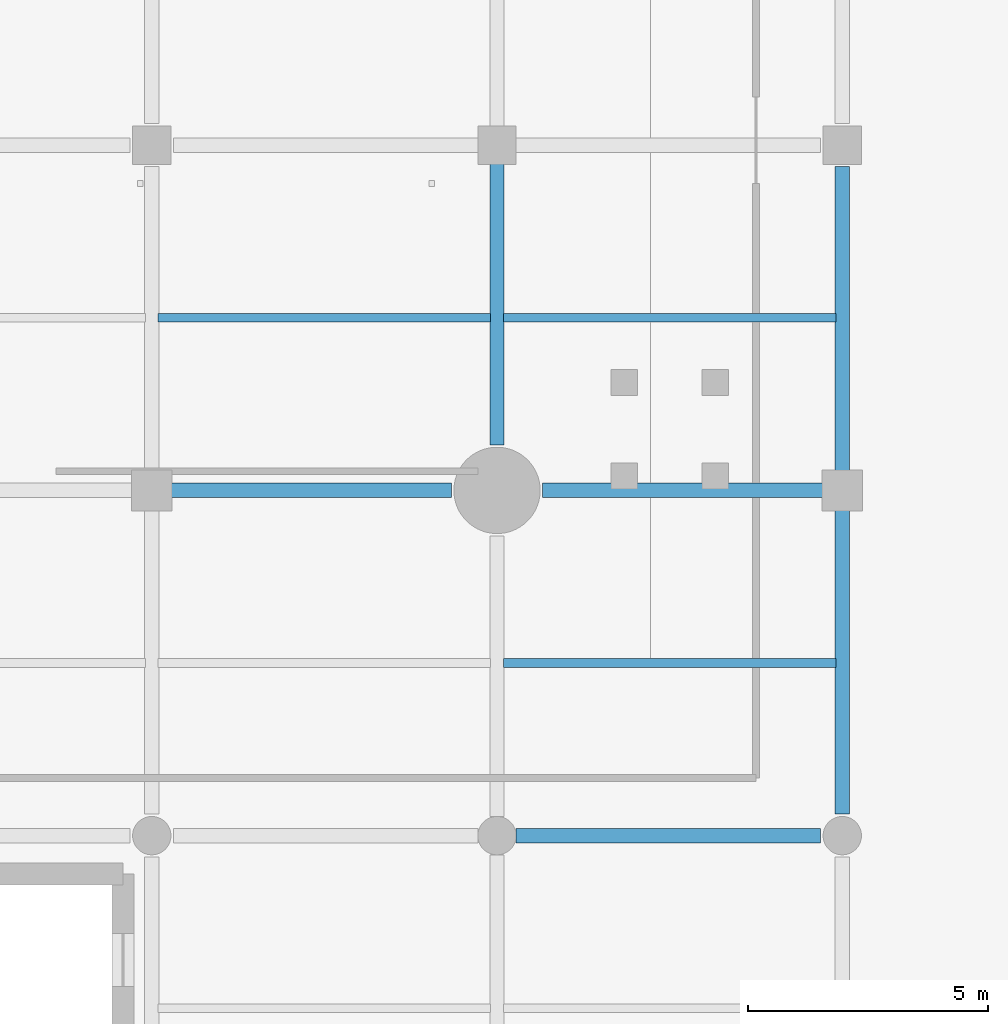
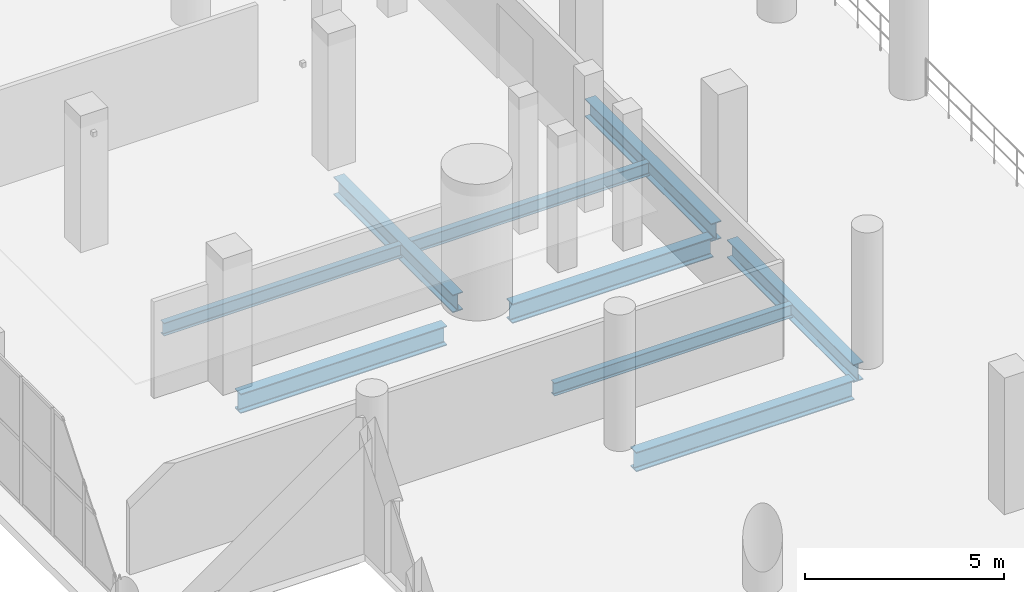
# One storey, part 24 of 153: 9 beams.
"""IFC4 building model written with IfcOpenShell, lengths in metres."""

from ifc_helpers import new_model, si_unit, direction, frame, origin, origin_2d, place, context, subcontext, project, spatial, i_section, extrude, material, material_profile, profile_set, type_object, element, save


model = new_model("IFC4")

# Units and contexts
model_context = context("Model", 3, precision=1e-05, world=origin(), true_north=direction((0.0, 1.0)))
body_context = subcontext(model_context, "Body", "Model", "MODEL_VIEW")
ifc_project = project(units=[si_unit("LENGTHUNIT", "METRE"), si_unit("AREAUNIT", "SQUARE_METRE"), si_unit("VOLUMEUNIT", "CUBIC_METRE"), si_unit("PLANEANGLEUNIT", "RADIAN"), si_unit("MASSUNIT", "GRAM", prefix="KILO")], contexts=[model_context])

# Site, building, storey
site_placement = place(None, origin())
site = spatial("IfcSite", under=ifc_project, at=site_placement, CompositionType="ELEMENT")
building_placement = place(site_placement, origin())
building = spatial("IfcBuilding", under=site, at=building_placement, Name="Qandorah Velis Arena", CompositionType="ELEMENT")
storey_placement = place(building_placement, frame((0.0, 0.0, 5.39990234375)))
storey = spatial("IfcBuildingStorey", under=building, at=storey_placement, Name="L01", CompositionType="ELEMENT", Elevation=5.39990234375)

# Beams
ifc_material = material(Name="Steel S355", Category="steel")
ifc_material_profile_1 = material_profile(ifc_material, i_section(OverallWidth=0.300048828125, OverallDepth=0.550048828125, WebThickness=0.014892578125, FlangeThickness=0.029052734375, FilletRadius=0.027099609375, at=origin_2d()), Name="HEB 550")
ifc_profile_set_1 = profile_set([ifc_material_profile_1], Name="Steel S355")
beam_type_1 = type_object("IfcBeamType", Name="STR-BM-HEB550", PredefinedType="BEAM", material=ifc_profile_set_1)
beam_1_placement = place(storey_placement, frame((14.39990234375, 58.550048828125, -0.635009765625), z_axis=(0.0, 1.0, 0.0), x_axis=(-1.0, 0.0, 0.0)))
element("IfcBeam", 1, at=beam_1_placement, inside=storey, type_object=beam_type_1, Name="Primary floor girder L01 Y-264", PredefinedType="BEAM", context=body_context, shape_type="SweptSolid", body=[
    extrude(i_section(OverallWidth=0.300048828125, OverallDepth=0.550048828125, WebThickness=0.014892578125, FlangeThickness=0.029052734375, FilletRadius=0.027099609375, at=origin_2d()), origin(), (0.0, 0.0, 1.0), 6.0),
])
beam_2_placement = place(storey_placement, frame((21.60009765625, 50.85009765625, -0.635009765625), z_axis=(0.0, 1.0, 0.0), x_axis=(-1.0, 0.0, 0.0)))
element("IfcBeam", 2, at=beam_2_placement, inside=storey, type_object=beam_type_1, Name="Primary floor girder L01 Y-281", PredefinedType="BEAM", context=body_context, shape_type="SweptSolid", body=[
    extrude(i_section(OverallWidth=0.300048828125, OverallDepth=0.550048828125, WebThickness=0.014892578125, FlangeThickness=0.029052734375, FilletRadius=0.027099609375, at=origin_2d()), origin(), (0.0, 0.0, 1.0), 6.349853515625),
])
beam_3_placement = place(storey_placement, frame((21.60009765625, 58.0, -0.635009765625), z_axis=(0.0, 1.0, 0.0), x_axis=(-1.0, 0.0, 0.0)))
element("IfcBeam", 3, at=beam_3_placement, inside=storey, type_object=beam_type_1, Name="Primary floor girder L01 Y-282", PredefinedType="BEAM", context=body_context, shape_type="SweptSolid", body=[
    extrude(i_section(OverallWidth=0.300048828125, OverallDepth=0.550048828125, WebThickness=0.014892578125, FlangeThickness=0.029052734375, FilletRadius=0.027099609375, at=origin_2d()), origin(), (0.0, 0.0, 1.0), 6.35009765625),
])
ifc_material_profile_2 = material_profile(ifc_material, i_section(OverallWidth=0.300048828125, OverallDepth=0.60009765625, WebThickness=0.015380859375, FlangeThickness=0.030029296875, FilletRadius=0.027099609375, at=origin_2d()), Name="HEB 600")
ifc_profile_set_2 = profile_set([ifc_material_profile_2], Name="Steel S355")
beam_type_2 = type_object("IfcBeamType", Name="STR-BM-HEB600", PredefinedType="BEAM", material=ifc_profile_set_2)
beam_4_placement = place(storey_placement, frame((14.800048828125, 50.39990234375, -0.659912109375), z_axis=(1.0, 0.0, 0.0), x_axis=(0.0, 1.0, 0.0)))
element("IfcBeam", 4, at=beam_4_placement, inside=storey, type_object=beam_type_2, Name="Primary floor girder L01 X-090", PredefinedType="BEAM", context=body_context, shape_type="SweptSolid", body=[
    extrude(i_section(OverallWidth=0.300048828125, OverallDepth=0.60009765625, WebThickness=0.015380859375, FlangeThickness=0.030029296875, FilletRadius=0.027099609375, at=origin_2d()), origin(), (0.0, 0.0, 1.0), 6.349853515625),
])
beam_5_placement = place(storey_placement, frame((7.449951171875, 57.60009765625, -0.659912109375), z_axis=(1.0, 0.0, 0.0), x_axis=(0.0, 1.0, 0.0)))
element("IfcBeam", 5, at=beam_5_placement, inside=storey, type_object=beam_type_2, Name="Primary floor girder L01 X-098", PredefinedType="BEAM", context=body_context, shape_type="SweptSolid", body=[
    extrude(i_section(OverallWidth=0.300048828125, OverallDepth=0.60009765625, WebThickness=0.015380859375, FlangeThickness=0.030029296875, FilletRadius=0.027099609375, at=origin_2d()), origin(), (0.0, 0.0, 1.0), 6.0),
])
beam_6_placement = place(storey_placement, frame((15.35009765625, 57.60009765625, -0.659912109375), z_axis=(1.0, 0.0, 0.0), x_axis=(0.0, 1.0, 0.0)))
element("IfcBeam", 6, at=beam_6_placement, inside=storey, type_object=beam_type_2, Name="Primary floor girder L01 X-099", PredefinedType="BEAM", context=body_context, shape_type="SweptSolid", body=[
    extrude(i_section(OverallWidth=0.300048828125, OverallDepth=0.60009765625, WebThickness=0.015380859375, FlangeThickness=0.030029296875, FilletRadius=0.027099609375, at=origin_2d()), origin(), (0.0, 0.0, 1.0), 5.849853515625),
])
ifc_material_profile_3 = material_profile(ifc_material, i_section(OverallWidth=0.179931640625, OverallDepth=0.39990234375, WebThickness=0.008544921875, FlangeThickness=0.013427734375, FilletRadius=0.02099609375, at=origin_2d()), Name="IPE 400")
ifc_profile_set_3 = profile_set([ifc_material_profile_3], Name="Steel S355")
beam_type_3 = type_object("IfcBeamType", Name="STR-JST-IPE400", PredefinedType="JOIST", material=ifc_profile_set_3)
beam_7_placement = place(storey_placement, frame((7.3349609375, 61.199951171875, -0.559814453125), z_axis=(1.0, 0.0, 0.0), x_axis=(0.0, 1.0, 0.0)))
element("IfcBeam", 7, at=beam_7_placement, inside=storey, type_object=beam_type_3, Name="Secondary floor joist L01-023", PredefinedType="JOIST", context=body_context, shape_type="SweptSolid", body=[
    extrude(i_section(OverallWidth=0.179931640625, OverallDepth=0.39990234375, WebThickness=0.008544921875, FlangeThickness=0.013427734375, FilletRadius=0.02099609375, at=origin_2d()), origin(), (0.0, 0.0, 1.0), 6.929931640625),
])
for number, where, z_axis, x_axis, name in (
    (8, (14.534912109375, 54.0, -0.559814453125), (1.0, 0.0, 0.0), (0.0, 1.0, 0.0), "Secondary floor joist L01-040"),
    (9, (14.534912109375, 61.199951171875, -0.559814453125), (1.0, 0.0, 0.0), (0.0, 1.0, 0.0), "Secondary floor joist L01-041"),
):
    element("IfcBeam", number, at=place(storey_placement, frame(where, z_axis=z_axis, x_axis=x_axis)), inside=storey, type_object=beam_type_3, Name=name, PredefinedType="JOIST", context=body_context, shape_type="SweptSolid", body=[
        extrude(i_section(OverallWidth=0.179931640625, OverallDepth=0.39990234375, WebThickness=0.008544921875, FlangeThickness=0.013427734375, FilletRadius=0.02099609375, at=origin_2d()), origin(), (0.0, 0.0, 1.0), 6.93017578125),
    ])

save(model, "model.ifc")
